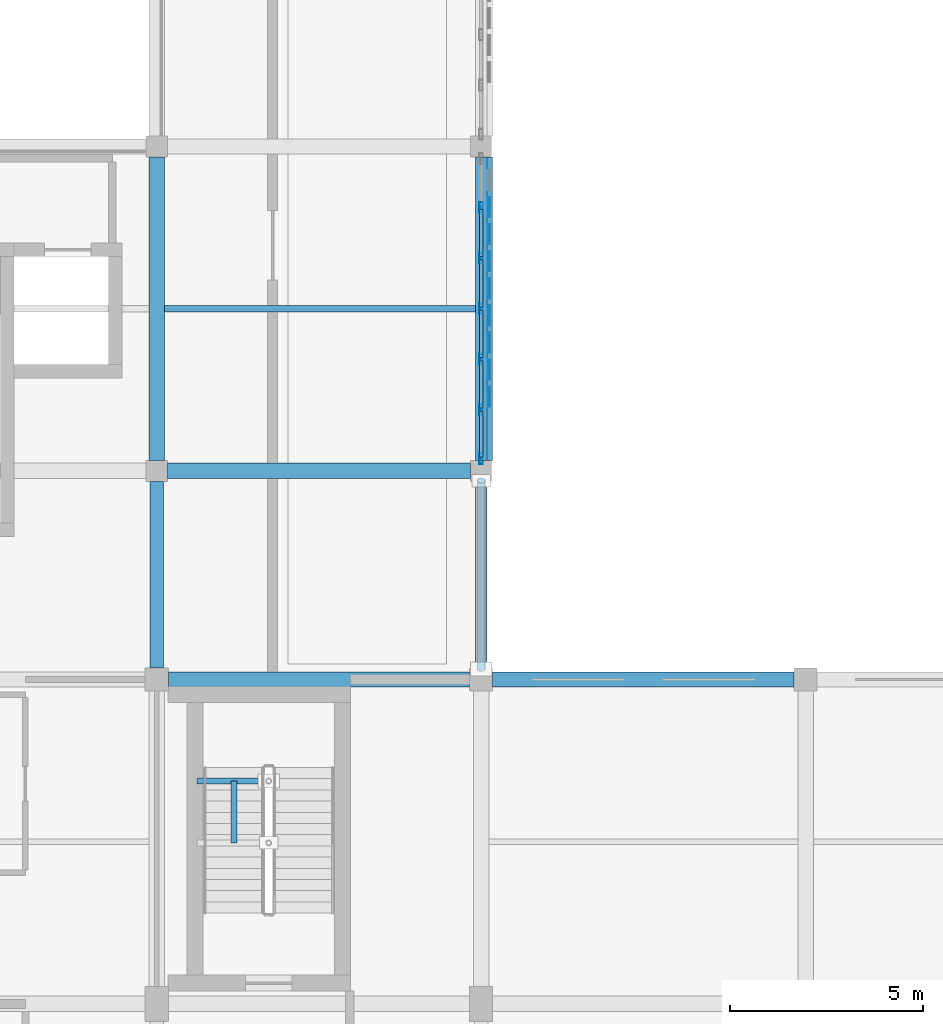
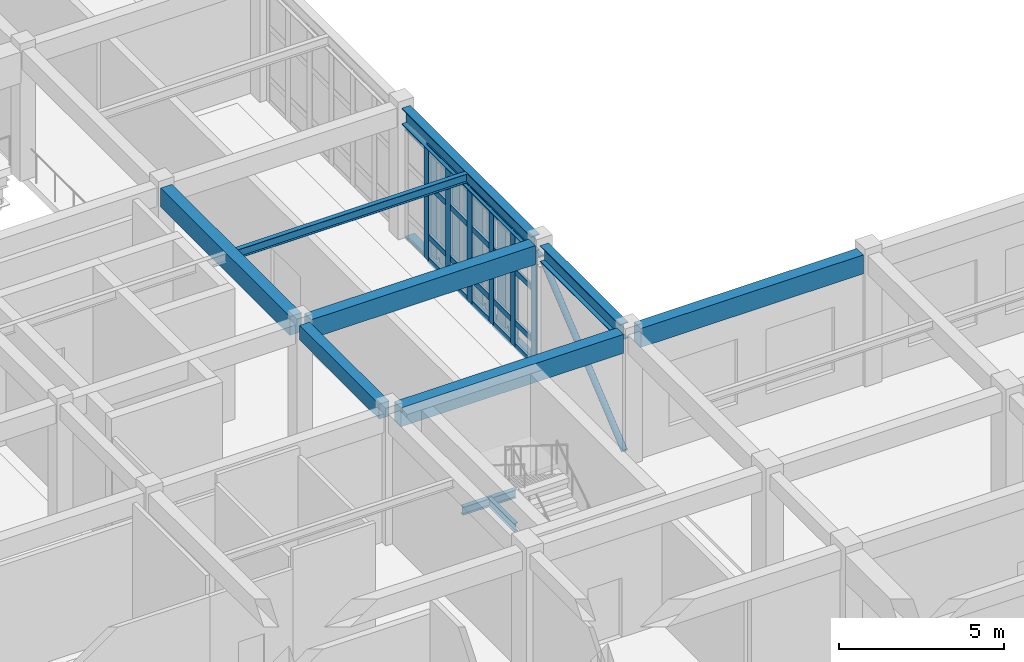
# One storey, part 17 of 77: 37 members, 10 beams, 1 element without a shape of its own.
"""IFC4 building model written with IfcOpenShell, lengths in metres."""

from ifc_helpers import new_model, si_unit, direction, frame, origin, origin_2d, place, context, subcontext, project, spatial, rectangle, hollow_rectangle, hollow_circle, i_section, extrude, material, layer, layer_set, material_profile, profile_set, type_object, element, aggregate, save


model = new_model("IFC4")

# Units and contexts
model_context = context("Model", 3, precision=1e-05, world=origin(), true_north=direction((0.0, 1.0)))
body_context = subcontext(model_context, "Body", "Model", "MODEL_VIEW")
ifc_project = project(units=[si_unit("LENGTHUNIT", "METRE"), si_unit("AREAUNIT", "SQUARE_METRE"), si_unit("VOLUMEUNIT", "CUBIC_METRE"), si_unit("PLANEANGLEUNIT", "RADIAN"), si_unit("MASSUNIT", "GRAM", prefix="KILO")], contexts=[model_context])

# Site, building, storey
site_placement = place(None, origin())
site = spatial("IfcSite", under=ifc_project, at=site_placement, CompositionType="ELEMENT")
building_placement = place(site_placement, origin())
building = spatial("IfcBuilding", under=site, at=building_placement, Name="Krzemoval Escarpment Law Courts", CompositionType="ELEMENT")
storey_placement = place(building_placement, frame((0.0, 0.0, 15.300048828125)))
storey = spatial("IfcBuildingStorey", under=building, at=storey_placement, Name="L03", CompositionType="ELEMENT", Elevation=15.300048828125)

# Beams
ifc_material_1 = material(Name="Concrete C40/50", Category="concrete")
ifc_material_profile_1 = material_profile(ifc_material_1, rectangle(XDim=0.35009765625, YDim=0.550048828125, at=origin_2d()), Name="RCB 350x550")
ifc_profile_set_1 = profile_set([ifc_material_profile_1], Name="Concrete C40/50")
beam_type_1 = type_object("IfcBeamType", Name="BM-RC-350x550", PredefinedType="BEAM", material=ifc_profile_set_1)
beam_1_placement = place(storey_placement, frame((33.60009765625, 35.699951171875, 4.56494140625), z_axis=(0.0, 1.0, 0.0), x_axis=(-1.0, 0.0, 0.0)))
element("IfcBeam", 1, at=beam_1_placement, inside=storey, type_object=beam_type_1, Name="Beam FG-L03-2250", PredefinedType="BEAM", context=body_context, shape_type="SweptSolid", body=[
    extrude(rectangle(XDim=0.35009765625, YDim=0.550048828125, at=origin_2d()), origin(), (0.0, 0.0, 1.0), 4.824951171875),
])
ifc_material_2 = material(Name="Concrete C40/50", Category="concrete")
ifc_material_profile_2 = material_profile(ifc_material_2, rectangle(XDim=0.39990234375, YDim=0.699951171875, at=origin_2d()), Name="RCB 400x700")
ifc_profile_set_2 = profile_set([ifc_material_profile_2], Name="Concrete C40/50")
beam_type_2 = type_object("IfcBeamType", Name="BM-RC-400x700", PredefinedType="BEAM", material=ifc_profile_set_2)
for number, where, z_axis, x_axis, name in (
    (2, (33.89990234375, 35.39990234375, 4.489990234375), (1.0, 0.0, 0.0), (0.0, 1.0, 0.0), "Beam FG-L03-2137"),
    (3, (42.300048828125, 35.39990234375, 4.489990234375), (1.0, 0.0, 0.0), (0.0, 1.0, 0.0), "Beam FG-L03-2138"),
):
    element("IfcBeam", number, at=place(storey_placement, frame(where, z_axis=z_axis, x_axis=x_axis)), inside=storey, type_object=beam_type_2, Name=name, PredefinedType="BEAM", context=body_context, shape_type="SweptSolid", body=[
        extrude(rectangle(XDim=0.39990234375, YDim=0.699951171875, at=origin_2d()), origin(), (0.0, 0.0, 1.0), 7.800048828125),
    ])
for number, where, z_axis, x_axis, name in (
    (4, (33.875, 40.800048828125, 4.489990234375), (1.0, 0.0, 0.0), (0.0, 1.0, 0.0), "Beam FG-L03-2152"),
    (5, (33.60009765625, 41.074951171875, 4.489990234375), (0.0, 1.0, 0.0), (-1.0, 0.0, 0.0), "Beam FG-L03-2251"),
):
    element("IfcBeam", number, at=place(storey_placement, frame(where, z_axis=z_axis, x_axis=x_axis)), inside=storey, type_object=beam_type_2, Name=name, PredefinedType="BEAM", context=body_context, shape_type="SweptSolid", body=[
        extrude(rectangle(XDim=0.39990234375, YDim=0.699951171875, at=origin_2d()), origin(), (0.0, 0.0, 1.0), 7.85009765625),
    ])

# Curtain wall, members
ifc_material_3 = material(Name="Aluminium 6063-T6", Category="aluminium")
ifc_layer = layer(ifc_material_3, 0.280029296875)
ifc_layer_set = layer_set([ifc_layer], Name="Aluminium 6063-T6")
curtain_wall_type = type_object("IfcCurtainWallType", Name="CW-HALL-5100", PredefinedType="USERDEFINED", material=ifc_layer_set)
curtain_wall_placement = place(storey_placement, origin())
curtain_wall = element("IfcCurtainWall", 6, at=curtain_wall_placement, inside=storey, type_object=curtain_wall_type, Name="Unitised Curtain Wall FCW-L03-111", ObjectType="UNITISED_CURTAIN_WALL", PredefinedType="USERDEFINED")
ifc_material_4 = material(Name="Aluminium 6063-T6", Category="aluminium")
ifc_material_profile_3 = material_profile(ifc_material_4, hollow_rectangle(XDim=0.0849609375, YDim=0.280029296875, WallThickness=0.005615234375, at=origin_2d()), Name="ALU M85x280")
ifc_profile_set_3 = profile_set([ifc_material_profile_3], Name="Aluminium 6063-T6")
member_type_1 = type_object("IfcMemberType", Name="CWM-85x280", PredefinedType="MULLION", material=ifc_profile_set_3)
member_1_placement = place(storey_placement, frame((42.0, 47.61669921875, 0.0), z_axis=(0.0, 0.0, 1.0), x_axis=(1.0, 0.0, 0.0)))
member_1 = element("IfcMember", 7, at=member_1_placement, type_object=member_type_1, Name="FCW-L03-111 mullion 2", PredefinedType="MULLION", context=body_context, shape_type="SweptSolid", body=[
    extrude(hollow_rectangle(XDim=0.0849609375, YDim=0.280029296875, WallThickness=0.005615234375, at=origin_2d()), origin(), (0.0, 0.0, 1.0), 4.239990234375),
])
member_2_placement = place(storey_placement, frame((42.0, 46.308349609375, 0.0), z_axis=(0.0, 0.0, 1.0), x_axis=(1.0, 0.0, 0.0)))
member_2 = element("IfcMember", 8, at=member_2_placement, type_object=member_type_1, Name="FCW-L03-111 mullion 3", PredefinedType="MULLION", context=body_context, shape_type="SweptSolid", body=[
    extrude(hollow_rectangle(XDim=0.0849609375, YDim=0.280029296875, WallThickness=0.005615234375, at=origin_2d()), origin(), (0.0, 0.0, 1.0), 4.239990234375),
])
member_3_placement = place(storey_placement, frame((42.0, 45.0, 0.0), z_axis=(0.0, 0.0, 1.0), x_axis=(1.0, 0.0, 0.0)))
member_3 = element("IfcMember", 9, at=member_3_placement, type_object=member_type_1, Name="FCW-L03-111 mullion 4", PredefinedType="MULLION", context=body_context, shape_type="SweptSolid", body=[
    extrude(hollow_rectangle(XDim=0.0849609375, YDim=0.280029296875, WallThickness=0.005615234375, at=origin_2d()), origin(), (0.0, 0.0, 1.0), 4.239990234375),
])
member_4_placement = place(storey_placement, frame((42.0, 43.691650390625, 0.0), z_axis=(0.0, 0.0, 1.0), x_axis=(1.0, 0.0, 0.0)))
member_4 = element("IfcMember", 10, at=member_4_placement, type_object=member_type_1, Name="FCW-L03-111 mullion 5", PredefinedType="MULLION", context=body_context, shape_type="SweptSolid", body=[
    extrude(hollow_rectangle(XDim=0.0849609375, YDim=0.280029296875, WallThickness=0.005615234375, at=origin_2d()), origin(), (0.0, 0.0, 1.0), 4.239990234375),
])
member_5_placement = place(storey_placement, frame((42.0, 42.38330078125, 0.0), z_axis=(0.0, 0.0, 1.0), x_axis=(1.0, 0.0, 0.0)))
member_5 = element("IfcMember", 11, at=member_5_placement, type_object=member_type_1, Name="FCW-L03-111 mullion 6", PredefinedType="MULLION", context=body_context, shape_type="SweptSolid", body=[
    extrude(hollow_rectangle(XDim=0.0849609375, YDim=0.280029296875, WallThickness=0.005615234375, at=origin_2d()), origin(), (0.0, 0.0, 1.0), 4.239990234375),
])
member_6_placement = place(storey_placement, frame((42.0, 41.117431640625, 0.0), z_axis=(0.0, 0.0, 1.0), x_axis=(1.0, 0.0, 0.0)))
member_6 = element("IfcMember", 12, at=member_6_placement, type_object=member_type_1, Name="FCW-L03-111 mullion 7", PredefinedType="MULLION", context=body_context, shape_type="SweptSolid", body=[
    extrude(hollow_rectangle(XDim=0.0849609375, YDim=0.280029296875, WallThickness=0.005615234375, at=origin_2d()), origin(), (0.0, 0.0, 1.0), 4.239990234375),
])
ifc_material_5 = material(Name="Aluminium 6063-T6", Category="aluminium")
ifc_material_profile_4 = material_profile(ifc_material_5, hollow_rectangle(XDim=0.0849609375, YDim=0.2099609375, WallThickness=0.005615234375, at=origin_2d()), Name="ALU T85x210")
ifc_profile_set_4 = profile_set([ifc_material_profile_4], Name="Aluminium 6063-T6")
member_type_2 = type_object("IfcMemberType", Name="CWT-85x210", PredefinedType="USERDEFINED", material=ifc_profile_set_4)
member_7_placement = place(storey_placement, frame((42.0, 47.57421875, 0.04248046875), z_axis=(0.0, -1.0, 0.0), x_axis=(1.0, 0.0, 0.0)))
member_7 = element("IfcMember", 13, at=member_7_placement, type_object=member_type_2, Name="FCW-L03-111 transom 2.1", ObjectType="TRANSOM", PredefinedType="USERDEFINED", context=body_context, shape_type="SweptSolid", body=[
    extrude(hollow_rectangle(XDim=0.0849609375, YDim=0.2099609375, WallThickness=0.005615234375, at=origin_2d()), origin(), (0.0, 0.0, 1.0), 1.223388671875),
])
member_8_placement = place(storey_placement, frame((42.0, 47.57421875, 0.89990234375), z_axis=(0.0, -1.0, 0.0), x_axis=(1.0, 0.0, 0.0)))
member_8 = element("IfcMember", 14, at=member_8_placement, type_object=member_type_2, Name="FCW-L03-111 transom 2.2", ObjectType="TRANSOM", PredefinedType="USERDEFINED", context=body_context, shape_type="SweptSolid", body=[
    extrude(hollow_rectangle(XDim=0.0849609375, YDim=0.2099609375, WallThickness=0.005615234375, at=origin_2d()), origin(), (0.0, 0.0, 1.0), 1.223388671875),
])
member_9_placement = place(storey_placement, frame((42.0, 47.57421875, 2.800048828125), z_axis=(0.0, -1.0, 0.0), x_axis=(1.0, 0.0, 0.0)))
member_9 = element("IfcMember", 15, at=member_9_placement, type_object=member_type_2, Name="FCW-L03-111 transom 2.3", ObjectType="TRANSOM", PredefinedType="USERDEFINED", context=body_context, shape_type="SweptSolid", body=[
    extrude(hollow_rectangle(XDim=0.0849609375, YDim=0.2099609375, WallThickness=0.005615234375, at=origin_2d()), origin(), (0.0, 0.0, 1.0), 1.223388671875),
])
member_10_placement = place(storey_placement, frame((42.0, 47.57421875, 4.197509765625), z_axis=(0.0, -1.0, 0.0), x_axis=(1.0, 0.0, 0.0)))
member_10 = element("IfcMember", 16, at=member_10_placement, type_object=member_type_2, Name="FCW-L03-111 transom 2.4", ObjectType="TRANSOM", PredefinedType="USERDEFINED", context=body_context, shape_type="SweptSolid", body=[
    extrude(hollow_rectangle(XDim=0.0849609375, YDim=0.2099609375, WallThickness=0.005615234375, at=origin_2d()), origin(), (0.0, 0.0, 1.0), 1.223388671875),
])
member_11_placement = place(storey_placement, frame((42.0, 46.265869140625, 0.04248046875), z_axis=(0.0, -1.0, 0.0), x_axis=(1.0, 0.0, 0.0)))
member_11 = element("IfcMember", 17, at=member_11_placement, type_object=member_type_2, Name="FCW-L03-111 transom 3.1", ObjectType="TRANSOM", PredefinedType="USERDEFINED", context=body_context, shape_type="SweptSolid", body=[
    extrude(hollow_rectangle(XDim=0.0849609375, YDim=0.2099609375, WallThickness=0.005615234375, at=origin_2d()), origin(), (0.0, 0.0, 1.0), 1.223388671875),
])
member_12_placement = place(storey_placement, frame((42.0, 46.265869140625, 0.89990234375), z_axis=(0.0, -1.0, 0.0), x_axis=(1.0, 0.0, 0.0)))
member_12 = element("IfcMember", 18, at=member_12_placement, type_object=member_type_2, Name="FCW-L03-111 transom 3.2", ObjectType="TRANSOM", PredefinedType="USERDEFINED", context=body_context, shape_type="SweptSolid", body=[
    extrude(hollow_rectangle(XDim=0.0849609375, YDim=0.2099609375, WallThickness=0.005615234375, at=origin_2d()), origin(), (0.0, 0.0, 1.0), 1.223388671875),
])
member_13_placement = place(storey_placement, frame((42.0, 46.265869140625, 2.800048828125), z_axis=(0.0, -1.0, 0.0), x_axis=(1.0, 0.0, 0.0)))
member_13 = element("IfcMember", 19, at=member_13_placement, type_object=member_type_2, Name="FCW-L03-111 transom 3.3", ObjectType="TRANSOM", PredefinedType="USERDEFINED", context=body_context, shape_type="SweptSolid", body=[
    extrude(hollow_rectangle(XDim=0.0849609375, YDim=0.2099609375, WallThickness=0.005615234375, at=origin_2d()), origin(), (0.0, 0.0, 1.0), 1.223388671875),
])
member_14_placement = place(storey_placement, frame((42.0, 46.265869140625, 4.197509765625), z_axis=(0.0, -1.0, 0.0), x_axis=(1.0, 0.0, 0.0)))
member_14 = element("IfcMember", 20, at=member_14_placement, type_object=member_type_2, Name="FCW-L03-111 transom 3.4", ObjectType="TRANSOM", PredefinedType="USERDEFINED", context=body_context, shape_type="SweptSolid", body=[
    extrude(hollow_rectangle(XDim=0.0849609375, YDim=0.2099609375, WallThickness=0.005615234375, at=origin_2d()), origin(), (0.0, 0.0, 1.0), 1.223388671875),
])
member_15_placement = place(storey_placement, frame((42.0, 44.95751953125, 0.04248046875), z_axis=(0.0, -1.0, 0.0), x_axis=(1.0, 0.0, 0.0)))
member_15 = element("IfcMember", 21, at=member_15_placement, type_object=member_type_2, Name="FCW-L03-111 transom 4.1", ObjectType="TRANSOM", PredefinedType="USERDEFINED", context=body_context, shape_type="SweptSolid", body=[
    extrude(hollow_rectangle(XDim=0.0849609375, YDim=0.2099609375, WallThickness=0.005615234375, at=origin_2d()), origin(), (0.0, 0.0, 1.0), 1.223388671875),
])
member_16_placement = place(storey_placement, frame((42.0, 44.95751953125, 0.89990234375), z_axis=(0.0, -1.0, 0.0), x_axis=(1.0, 0.0, 0.0)))
member_16 = element("IfcMember", 22, at=member_16_placement, type_object=member_type_2, Name="FCW-L03-111 transom 4.2", ObjectType="TRANSOM", PredefinedType="USERDEFINED", context=body_context, shape_type="SweptSolid", body=[
    extrude(hollow_rectangle(XDim=0.0849609375, YDim=0.2099609375, WallThickness=0.005615234375, at=origin_2d()), origin(), (0.0, 0.0, 1.0), 1.223388671875),
])
member_17_placement = place(storey_placement, frame((42.0, 44.95751953125, 2.800048828125), z_axis=(0.0, -1.0, 0.0), x_axis=(1.0, 0.0, 0.0)))
member_17 = element("IfcMember", 23, at=member_17_placement, type_object=member_type_2, Name="FCW-L03-111 transom 4.3", ObjectType="TRANSOM", PredefinedType="USERDEFINED", context=body_context, shape_type="SweptSolid", body=[
    extrude(hollow_rectangle(XDim=0.0849609375, YDim=0.2099609375, WallThickness=0.005615234375, at=origin_2d()), origin(), (0.0, 0.0, 1.0), 1.223388671875),
])
member_18_placement = place(storey_placement, frame((42.0, 44.95751953125, 4.197509765625), z_axis=(0.0, -1.0, 0.0), x_axis=(1.0, 0.0, 0.0)))
member_18 = element("IfcMember", 24, at=member_18_placement, type_object=member_type_2, Name="FCW-L03-111 transom 4.4", ObjectType="TRANSOM", PredefinedType="USERDEFINED", context=body_context, shape_type="SweptSolid", body=[
    extrude(hollow_rectangle(XDim=0.0849609375, YDim=0.2099609375, WallThickness=0.005615234375, at=origin_2d()), origin(), (0.0, 0.0, 1.0), 1.223388671875),
])
member_19_placement = place(storey_placement, frame((42.0, 43.649169921875, 0.04248046875), z_axis=(0.0, -1.0, 0.0), x_axis=(1.0, 0.0, 0.0)))
member_19 = element("IfcMember", 25, at=member_19_placement, type_object=member_type_2, Name="FCW-L03-111 transom 5.1", ObjectType="TRANSOM", PredefinedType="USERDEFINED", context=body_context, shape_type="SweptSolid", body=[
    extrude(hollow_rectangle(XDim=0.0849609375, YDim=0.2099609375, WallThickness=0.005615234375, at=origin_2d()), origin(), (0.0, 0.0, 1.0), 1.223388671875),
])
member_20_placement = place(storey_placement, frame((42.0, 43.649169921875, 0.89990234375), z_axis=(0.0, -1.0, 0.0), x_axis=(1.0, 0.0, 0.0)))
member_20 = element("IfcMember", 26, at=member_20_placement, type_object=member_type_2, Name="FCW-L03-111 transom 5.2", ObjectType="TRANSOM", PredefinedType="USERDEFINED", context=body_context, shape_type="SweptSolid", body=[
    extrude(hollow_rectangle(XDim=0.0849609375, YDim=0.2099609375, WallThickness=0.005615234375, at=origin_2d()), origin(), (0.0, 0.0, 1.0), 1.223388671875),
])
member_21_placement = place(storey_placement, frame((42.0, 43.649169921875, 2.800048828125), z_axis=(0.0, -1.0, 0.0), x_axis=(1.0, 0.0, 0.0)))
member_21 = element("IfcMember", 27, at=member_21_placement, type_object=member_type_2, Name="FCW-L03-111 transom 5.3", ObjectType="TRANSOM", PredefinedType="USERDEFINED", context=body_context, shape_type="SweptSolid", body=[
    extrude(hollow_rectangle(XDim=0.0849609375, YDim=0.2099609375, WallThickness=0.005615234375, at=origin_2d()), origin(), (0.0, 0.0, 1.0), 1.223388671875),
])
member_22_placement = place(storey_placement, frame((42.0, 43.649169921875, 4.197509765625), z_axis=(0.0, -1.0, 0.0), x_axis=(1.0, 0.0, 0.0)))
member_22 = element("IfcMember", 28, at=member_22_placement, type_object=member_type_2, Name="FCW-L03-111 transom 5.4", ObjectType="TRANSOM", PredefinedType="USERDEFINED", context=body_context, shape_type="SweptSolid", body=[
    extrude(hollow_rectangle(XDim=0.0849609375, YDim=0.2099609375, WallThickness=0.005615234375, at=origin_2d()), origin(), (0.0, 0.0, 1.0), 1.223388671875),
])
member_23_placement = place(storey_placement, frame((42.0, 42.3408203125, 0.04248046875), z_axis=(0.0, -1.0, 0.0), x_axis=(1.0, 0.0, 0.0)))
member_23 = element("IfcMember", 29, at=member_23_placement, type_object=member_type_2, Name="FCW-L03-111 transom 6.1", ObjectType="TRANSOM", PredefinedType="USERDEFINED", context=body_context, shape_type="SweptSolid", body=[
    extrude(hollow_rectangle(XDim=0.0849609375, YDim=0.2099609375, WallThickness=0.005615234375, at=origin_2d()), origin(), (0.0, 0.0, 1.0), 1.180908203125),
])
member_24_placement = place(storey_placement, frame((42.0, 42.3408203125, 0.89990234375), z_axis=(0.0, -1.0, 0.0), x_axis=(1.0, 0.0, 0.0)))
member_24 = element("IfcMember", 30, at=member_24_placement, type_object=member_type_2, Name="FCW-L03-111 transom 6.2", ObjectType="TRANSOM", PredefinedType="USERDEFINED", context=body_context, shape_type="SweptSolid", body=[
    extrude(hollow_rectangle(XDim=0.0849609375, YDim=0.2099609375, WallThickness=0.005615234375, at=origin_2d()), origin(), (0.0, 0.0, 1.0), 1.180908203125),
])
member_25_placement = place(storey_placement, frame((42.0, 42.3408203125, 2.800048828125), z_axis=(0.0, -1.0, 0.0), x_axis=(1.0, 0.0, 0.0)))
member_25 = element("IfcMember", 31, at=member_25_placement, type_object=member_type_2, Name="FCW-L03-111 transom 6.3", ObjectType="TRANSOM", PredefinedType="USERDEFINED", context=body_context, shape_type="SweptSolid", body=[
    extrude(hollow_rectangle(XDim=0.0849609375, YDim=0.2099609375, WallThickness=0.005615234375, at=origin_2d()), origin(), (0.0, 0.0, 1.0), 1.180908203125),
])
member_26_placement = place(storey_placement, frame((42.0, 42.3408203125, 4.197509765625), z_axis=(0.0, -1.0, 0.0), x_axis=(1.0, 0.0, 0.0)))
member_26 = element("IfcMember", 32, at=member_26_placement, type_object=member_type_2, Name="FCW-L03-111 transom 6.4", ObjectType="TRANSOM", PredefinedType="USERDEFINED", context=body_context, shape_type="SweptSolid", body=[
    extrude(hollow_rectangle(XDim=0.0849609375, YDim=0.2099609375, WallThickness=0.005615234375, at=origin_2d()), origin(), (0.0, 0.0, 1.0), 1.180908203125),
])
aggregate(curtain_wall, [member_1, member_2, member_3, member_4, member_5, member_6, member_7, member_8, member_9, member_10, member_11, member_12, member_13, member_14, member_15, member_16, member_17, member_18, member_19, member_20, member_21, member_22, member_23, member_24, member_25, member_26])

# Beams
ifc_material_6 = material(Name="Steel S355", Category="steel")
ifc_material_profile_5 = material_profile(ifc_material_6, i_section(OverallWidth=0.14990234375, OverallDepth=0.300048828125, WebThickness=0.007080078125, FlangeThickness=0.0107421875, at=origin_2d()), Name="IPE 300")
ifc_profile_set_5 = profile_set([ifc_material_profile_5], Name="Steel S355")
beam_type_3 = type_object("IfcBeamType", Name="JST-S355-IPE300", PredefinedType="JOIST", material=ifc_profile_set_5)
beam_2_placement = place(storey_placement, frame((36.5, 32.77001953125, 2.27001953125), z_axis=(-1.0, 0.0, 0.0), x_axis=(0.0, -1.0, 0.0)))
element("IfcBeam", 33, at=beam_2_placement, inside=storey, type_object=beam_type_3, Name="Stair Well Crosshead SLHW-C7-L03-1", PredefinedType="JOIST", context=body_context, shape_type="SweptSolid", body=[
    extrude(i_section(OverallWidth=0.14990234375, OverallDepth=0.300048828125, WebThickness=0.007080078125, FlangeThickness=0.0107421875, at=origin_2d()), origin(), (0.0, 0.0, 1.0), 1.860107421875),
])
beam_3_placement = place(storey_placement, frame((35.60009765625, 32.77001953125, 2.27001953125), z_axis=(0.0, -1.0, 0.0), x_axis=(1.0, 0.0, 0.0)))
element("IfcBeam", 34, at=beam_3_placement, inside=storey, type_object=beam_type_3, Name="Stair Flight Support Stringer SLTW-C7-L03", PredefinedType="JOIST", context=body_context, shape_type="SweptSolid", body=[
    extrude(i_section(OverallWidth=0.14990234375, OverallDepth=0.300048828125, WebThickness=0.007080078125, FlangeThickness=0.0107421875, at=origin_2d()), origin(), (0.0, 0.0, 1.0), 1.60009765625),
])
ifc_material_7 = material(Name="Steel S355", Category="steel")
ifc_material_profile_6 = material_profile(ifc_material_7, i_section(OverallWidth=0.159912109375, OverallDepth=0.330078125, WebThickness=0.007568359375, FlangeThickness=0.011474609375, at=origin_2d()), Name="IPE 330")
ifc_profile_set_6 = profile_set([ifc_material_profile_6], Name="Steel S355")
beam_type_4 = type_object("IfcBeamType", Name="JST-S355-IPE330", PredefinedType="JOIST", material=ifc_profile_set_6)
beam_4_placement = place(storey_placement, frame((33.800048828125, 45.0, 4.675048828125), z_axis=(1.0, 0.0, 0.0), x_axis=(0.0, 1.0, 0.0)))
element("IfcBeam", 35, at=beam_4_placement, inside=storey, type_object=beam_type_4, Name="Secondary Joist FJ-L03-2373", PredefinedType="JOIST", context=body_context, shape_type="SweptSolid", body=[
    extrude(i_section(OverallWidth=0.159912109375, OverallDepth=0.330078125, WebThickness=0.007568359375, FlangeThickness=0.011474609375, at=origin_2d()), origin(), (0.0, 0.0, 1.0), 8.050048828125),
])

# Members
ifc_material_8 = material(Name="Anodised Aluminium Alloy 6063-T6", Category="aluminium")
ifc_material_profile_7 = material_profile(ifc_material_8, hollow_rectangle(XDim=0.06005859375, YDim=0.320068359375, WallThickness=0.00390625, at=origin_2d()), Name="ALU LVR 60x320")
ifc_profile_set_7 = profile_set([ifc_material_profile_7], Name="Anodised Aluminium Alloy 6063-T6")
member_type_3 = type_object("IfcMemberType", Name="LVR-ALU-320", PredefinedType="USERDEFINED", material=ifc_profile_set_7)
for number, where, z_axis, x_axis, name in (
    (36, (42.139892578125, 48.925048828125, 0.030029296875), (0.0, -1.0, 0.0), (0.0, 0.0, 1.0), "Sunshade Support Rail FSR-L03-0750"),
    (37, (42.139892578125, 48.925048828125, 3.989990234375), (0.0, -1.0, 0.0), (0.0, 0.0, 1.0), "Sunshade Support Rail FSR-L03-0751"),
):
    element("IfcMember", number, at=place(storey_placement, frame(where, z_axis=z_axis, x_axis=x_axis)), inside=storey, type_object=member_type_3, Name=name, ObjectType="SUNSHADE_LOUVRE", PredefinedType="USERDEFINED", context=body_context, shape_type="SweptSolid", body=[
        extrude(hollow_rectangle(XDim=0.06005859375, YDim=0.320068359375, WallThickness=0.00390625, at=origin_2d()), origin(), (0.0, 0.0, 1.0), 7.85009765625),
    ])
ifc_material_9 = material(Name="Anodised Aluminium Alloy 6063-T6", Category="aluminium")
ifc_material_profile_8 = material_profile(ifc_material_9, hollow_rectangle(XDim=0.06494140625, YDim=0.52001953125, WallThickness=0.00439453125, at=origin_2d()), Name="ALU LVR 65x520")
ifc_profile_set_8 = profile_set([ifc_material_profile_8], Name="Anodised Aluminium Alloy 6063-T6")
member_type_4 = type_object("IfcMemberType", Name="LVR-ALU-520", PredefinedType="USERDEFINED", material=ifc_profile_set_8)
for number, where, z_axis, x_axis, name in (
    (38, (42.199951171875, 47.625, 0.06005859375), (0.0, 0.0, 1.0), (1.0, 0.0, 0.0), "Sunshade Louvre Fin FLV-L03-0753"),
    (39, (42.199951171875, 46.925048828125, 0.06005859375), (0.0, 0.0, 1.0), (1.0, 0.0, 0.0), "Sunshade Louvre Fin FLV-L03-0754"),
    (40, (42.199951171875, 46.22509765625, 0.06005859375), (0.0, 0.0, 1.0), (1.0, 0.0, 0.0), "Sunshade Louvre Fin FLV-L03-0755"),
    (41, (42.199951171875, 45.52490234375, 0.06005859375), (0.0, 0.0, 1.0), (1.0, 0.0, 0.0), "Sunshade Louvre Fin FLV-L03-0756"),
    (42, (42.199951171875, 44.824951171875, 0.06005859375), (0.0, 0.0, 1.0), (1.0, 0.0, 0.0), "Sunshade Louvre Fin FLV-L03-0757"),
    (43, (42.199951171875, 44.125, 0.06005859375), (0.0, 0.0, 1.0), (1.0, 0.0, 0.0), "Sunshade Louvre Fin FLV-L03-0758"),
    (44, (42.199951171875, 43.425048828125, 0.06005859375), (0.0, 0.0, 1.0), (1.0, 0.0, 0.0), "Sunshade Louvre Fin FLV-L03-0759"),
    (45, (42.199951171875, 42.72509765625, 0.06005859375), (0.0, 0.0, 1.0), (1.0, 0.0, 0.0), "Sunshade Louvre Fin FLV-L03-0760"),
):
    element("IfcMember", number, at=place(storey_placement, frame(where, z_axis=z_axis, x_axis=x_axis)), inside=storey, type_object=member_type_4, Name=name, ObjectType="SUNSHADE_LOUVRE", PredefinedType="USERDEFINED", context=body_context, shape_type="SweptSolid", body=[
        extrude(hollow_rectangle(XDim=0.06494140625, YDim=0.52001953125, WallThickness=0.00439453125, at=origin_2d()), origin(), (0.0, 0.0, 1.0), 4.179931640625),
    ])
ifc_material_10 = material(Name="Steel S355", Category="steel")
ifc_material_profile_9 = material_profile(ifc_material_10, hollow_circle(Radius=0.109619140625, WallThickness=0.010009765625, at=origin_2d()), Name="CHS 219.1x10")
ifc_profile_set_9 = profile_set([ifc_material_profile_9], Name="Steel S355")
member_type_5 = type_object("IfcMemberType", Name="MBR-BRC-CHS219", PredefinedType="BRACE", material=ifc_profile_set_9)
member_27_placement = place(storey_placement, frame((42.0, 35.675048828125, 0.139892578125), z_axis=(0.0, 0.771517406506, 0.636208213919), x_axis=(-1.0, 0.0, 0.0)))
element("IfcMember", 46, at=member_27_placement, inside=storey, type_object=member_type_5, Name="Lateral Diagonal Brace BR-0245", PredefinedType="BRACE", context=body_context, shape_type="SweptSolid", body=[
    extrude(hollow_circle(Radius=0.109619140625, WallThickness=0.010009765625, at=origin_2d()), origin(), (0.0, 0.0, 1.0), 6.318603515625),
])

# Beams
ifc_material_11 = material(Name="Steel S355", Category="steel")
ifc_material_profile_10 = material_profile(ifc_material_11, i_section(OverallWidth=0.300048828125, OverallDepth=0.60009765625, WebThickness=0.015380859375, FlangeThickness=0.030029296875, at=origin_2d()), Name="HEB 600")
ifc_profile_set_10 = profile_set([ifc_material_profile_10], Name="Steel S355")
beam_type_5 = type_object("IfcBeamType", Name="SPN-S355-HEB600", PredefinedType="SPANDREL", material=ifc_profile_set_10)
beam_5_placement = place(storey_placement, frame((42.0, 35.699951171875, 4.5400390625), z_axis=(0.0, 1.0, 0.0), x_axis=(-1.0, 0.0, 0.0)))
element("IfcBeam", 47, at=beam_5_placement, inside=storey, type_object=beam_type_5, Name="Beam FG-L03-2263", PredefinedType="SPANDREL", context=body_context, shape_type="SweptSolid", body=[
    extrude(i_section(OverallWidth=0.300048828125, OverallDepth=0.60009765625, WebThickness=0.015380859375, FlangeThickness=0.030029296875, at=origin_2d()), origin(), (0.0, 0.0, 1.0), 4.824951171875),
])
beam_6_placement = place(storey_placement, frame((42.0, 41.074951171875, 4.5400390625), z_axis=(0.0, 1.0, 0.0), x_axis=(-1.0, 0.0, 0.0)))
element("IfcBeam", 48, at=beam_6_placement, inside=storey, type_object=beam_type_5, Name="Beam FG-L03-2264", PredefinedType="SPANDREL", context=body_context, shape_type="SweptSolid", body=[
    extrude(i_section(OverallWidth=0.300048828125, OverallDepth=0.60009765625, WebThickness=0.015380859375, FlangeThickness=0.030029296875, at=origin_2d()), origin(), (0.0, 0.0, 1.0), 7.85009765625),
])

save(model, "model.ifc")
